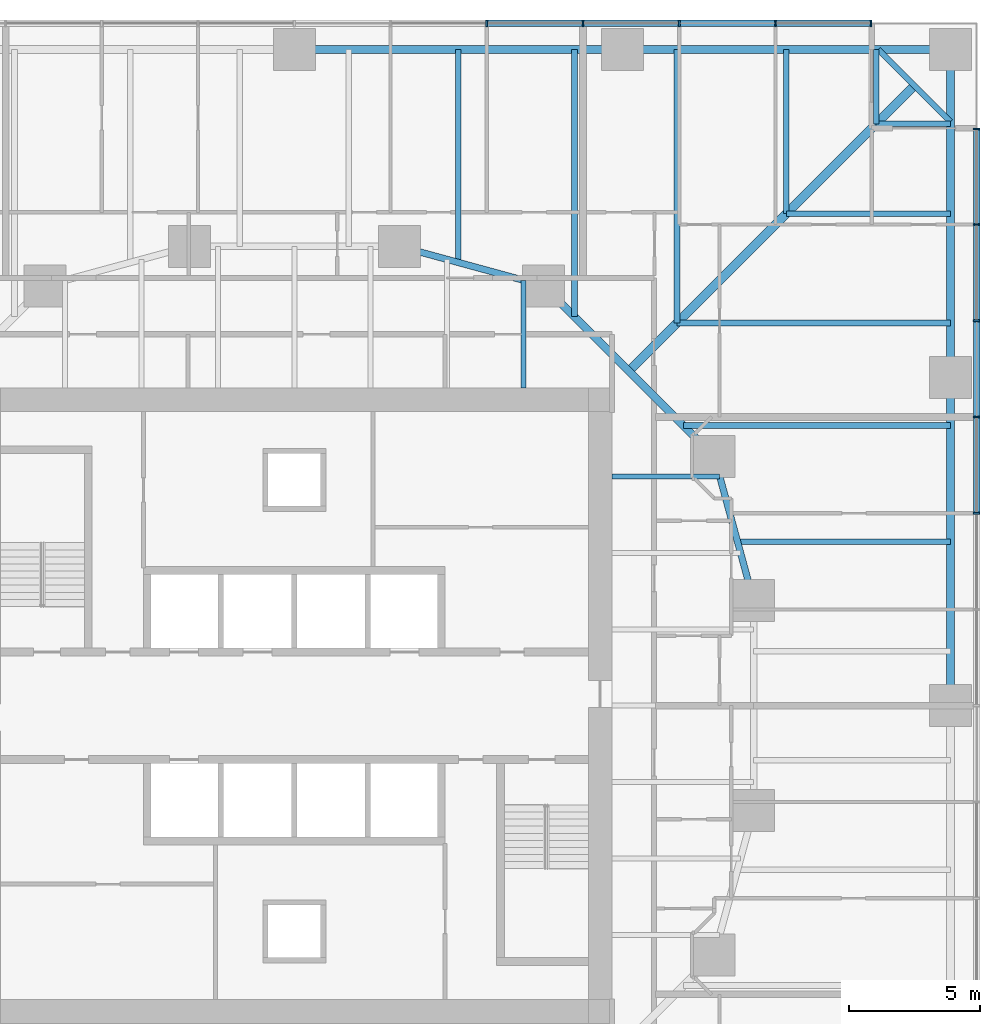
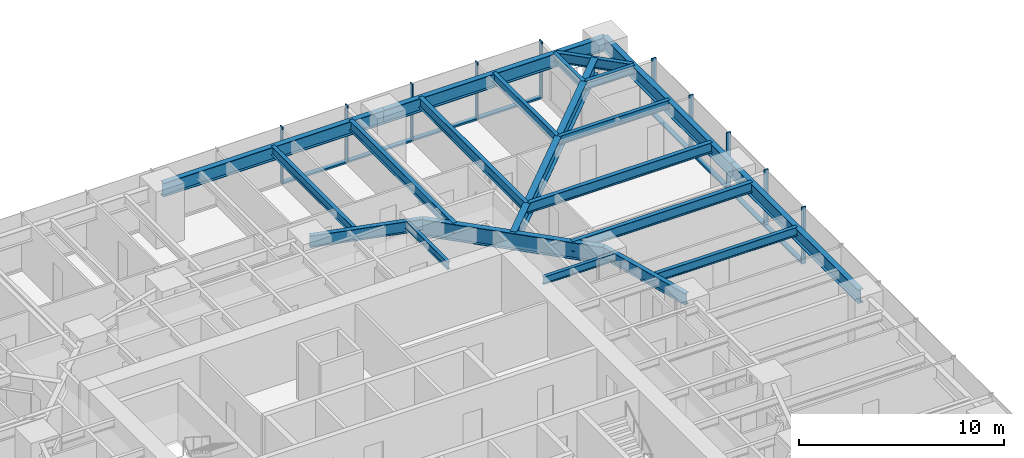
# One storey, part 6 of 18: 21 beams, 18 members, 2 elements without a shape of their own.
"""IFC4 building model written with IfcOpenShell, lengths in metres."""

from ifc_helpers import new_model, si_unit, direction, frame, origin, origin_2d, place, context, subcontext, project, spatial, rectangle, i_section, extrude, material, material_profile, profile_set, type_object, element, aggregate, save


model = new_model("IFC4")

# Units and contexts
model_context = context("Model", 3, precision=1e-05, world=origin(), true_north=direction((0.0, 1.0)))
body_context = subcontext(model_context, "Body", "Model", "MODEL_VIEW")
ifc_project = project(units=[si_unit("LENGTHUNIT", "METRE"), si_unit("AREAUNIT", "SQUARE_METRE"), si_unit("VOLUMEUNIT", "CUBIC_METRE"), si_unit("PLANEANGLEUNIT", "RADIAN"), si_unit("MASSUNIT", "GRAM", prefix="KILO")], contexts=[model_context])

# Site, building, storey
site_placement = place(None, origin())
site = spatial("IfcSite", under=ifc_project, at=site_placement, CompositionType="ELEMENT")
building_placement = place(site_placement, origin())
building = spatial("IfcBuilding", under=site, at=building_placement, Name="Torsade Residences", CompositionType="ELEMENT")
storey_placement = place(building_placement, frame((0.0, 0.0, 25.199951171875)))
storey = spatial("IfcBuildingStorey", under=building, at=storey_placement, Name="L06", CompositionType="ELEMENT", Elevation=25.199951171875)

# Beams
ifc_material_1 = material(Name="Steel grade 300", Category="steel")
ifc_material_profile_1 = material_profile(ifc_material_1, i_section(OverallWidth=0.35009765625, OverallDepth=0.909912109375, WebThickness=0.011962890625, FlangeThickness=0.02490234375, at=origin_2d()), Name="900WB218")
ifc_profile_set_1 = profile_set([ifc_material_profile_1], Name="Steel grade 300")
beam_type_1 = type_object("IfcBeamType", Name="CORNER GIRDER 900WB218", PredefinedType="BEAM", material=ifc_profile_set_1)
beam_1_placement = place(storey_placement, frame((63.625, 53.625, 2.795166015625), z_axis=(-0.707106781187, -0.707106781187, 0.0), x_axis=(0.707106781187, -0.707106781187, 0.0)))
element("IfcBeam", 1, at=beam_1_placement, inside=storey, type_object=beam_type_1, Name="Corner girder 09 L07", PredefinedType="BEAM", context=body_context, shape_type="SweptSolid", body=[
    extrude(i_section(OverallWidth=0.35009765625, OverallDepth=0.909912109375, WebThickness=0.011962890625, FlangeThickness=0.02490234375, at=origin_2d()), origin(), (0.0, 0.0, 1.0), 15.379638671875),
])
ifc_material_2 = material(Name="Steel grade 300", Category="steel")
ifc_material_profile_2 = material_profile(ifc_material_2, i_section(OverallWidth=0.22802734375, OverallDepth=0.60205078125, WebThickness=0.010498046875, FlangeThickness=0.014892578125, FilletRadius=0.013916015625, at=origin_2d()), Name="610UB101")
ifc_profile_set_2 = profile_set([ifc_material_profile_2], Name="Steel grade 300")
beam_type_2 = type_object("IfcBeamType", Name="CORNER TRIMMER 610UB101", PredefinedType="BEAM", material=ifc_profile_set_2)
beam_2_placement = place(storey_placement, frame((62.25, 55.0, 2.948974609375), z_axis=(0.707106781187, -0.707106781187, 0.0), x_axis=(0.707106781187, 0.707106781187, 0.0)))
element("IfcBeam", 2, at=beam_2_placement, inside=storey, type_object=beam_type_2, Name="Corner trimmer 09 L07", PredefinedType="BEAM", context=body_context, shape_type="SweptSolid", body=[
    extrude(i_section(OverallWidth=0.22802734375, OverallDepth=0.60205078125, WebThickness=0.010498046875, FlangeThickness=0.014892578125, FilletRadius=0.013916015625, at=origin_2d()), origin(), (0.0, 0.0, 1.0), 3.88916015625),
])

# Curtain wall, members
ifc_material_3 = material(Name="Aluminium and glass", Category="aluminium")
curtain_wall_type = type_object("IfcCurtainWallType", Name="FRITTED GLASS CURTAIN WALL LOW ZONE", PredefinedType="NOTDEFINED", material=ifc_material_3)
curtain_wall_1_placement = place(storey_placement, origin())
curtain_wall_1 = element("IfcCurtainWall", 3, at=curtain_wall_1_placement, inside=storey, type_object=curtain_wall_type, Name="Curtain wall L06 face 4", PredefinedType="NOTDEFINED")
ifc_material_4 = material(Name="Aluminium mullion", Category="aluminium")
ifc_material_profile_3 = material_profile(ifc_material_4, rectangle(XDim=0.25, YDim=0.06494140625, at=origin_2d()), Name="CURTAIN WALL MULLION 250x65")
ifc_profile_set_3 = profile_set([ifc_material_profile_3], Name="Aluminium mullion")
member_type_1 = type_object("IfcMemberType", Name="CURTAIN WALL MULLION 250x65", PredefinedType="MULLION", material=ifc_profile_set_3)
member_1_placement = place(storey_placement, frame((66.0, 37.333251953125, 0.0), z_axis=(0.0, 0.0, 1.0), x_axis=(-1.0, 0.0, 0.0)))
member_1 = element("IfcMember", 4, at=member_1_placement, type_object=member_type_1, Name="Mullion 9", PredefinedType="MULLION", context=body_context, shape_type="SweptSolid", body=[
    extrude(rectangle(XDim=0.25, YDim=0.06494140625, at=origin_2d()), origin(), (0.0, 0.0, 1.0), 3.400146484375),
])
member_2_placement = place(storey_placement, frame((66.0, 41.0, 0.0), z_axis=(0.0, 0.0, 1.0), x_axis=(-1.0, 0.0, 0.0)))
member_2 = element("IfcMember", 5, at=member_2_placement, type_object=member_type_1, Name="Mullion 10", PredefinedType="MULLION", context=body_context, shape_type="SweptSolid", body=[
    extrude(rectangle(XDim=0.25, YDim=0.06494140625, at=origin_2d()), origin(), (0.0, 0.0, 1.0), 3.400146484375),
])
member_3_placement = place(storey_placement, frame((66.0, 44.666748046875, 0.0), z_axis=(0.0, 0.0, 1.0), x_axis=(-1.0, 0.0, 0.0)))
member_3 = element("IfcMember", 6, at=member_3_placement, type_object=member_type_1, Name="Mullion 11", PredefinedType="MULLION", context=body_context, shape_type="SweptSolid", body=[
    extrude(rectangle(XDim=0.25, YDim=0.06494140625, at=origin_2d()), origin(), (0.0, 0.0, 1.0), 3.400146484375),
])
member_4_placement = place(storey_placement, frame((66.0, 48.333251953125, 0.0), z_axis=(0.0, 0.0, 1.0), x_axis=(-1.0, 0.0, 0.0)))
member_4 = element("IfcMember", 7, at=member_4_placement, type_object=member_type_1, Name="Mullion 12", PredefinedType="MULLION", context=body_context, shape_type="SweptSolid", body=[
    extrude(rectangle(XDim=0.25, YDim=0.06494140625, at=origin_2d()), origin(), (0.0, 0.0, 1.0), 3.400146484375),
])
member_5_placement = place(storey_placement, frame((66.0, 51.967529296875, 0.0), z_axis=(0.0, 0.0, 1.0), x_axis=(-1.0, 0.0, 0.0)))
member_5 = element("IfcMember", 8, at=member_5_placement, type_object=member_type_1, Name="Mullion 13", PredefinedType="MULLION", context=body_context, shape_type="SweptSolid", body=[
    extrude(rectangle(XDim=0.25, YDim=0.06494140625, at=origin_2d()), origin(), (0.0, 0.0, 1.0), 3.400146484375),
])

curtain_wall_2_placement = place(storey_placement, origin())
curtain_wall_2 = element("IfcCurtainWall", 9, at=curtain_wall_2_placement, inside=storey, type_object=curtain_wall_type, Name="Curtain wall L06 face 7", PredefinedType="NOTDEFINED")
member_6_placement = place(storey_placement, frame((61.967529296875, 56.0, 0.0), z_axis=(0.0, 0.0, 1.0), x_axis=(0.0, -1.0, 0.0)))
member_6 = element("IfcMember", 10, at=member_6_placement, type_object=member_type_1, Name="Mullion 1", PredefinedType="MULLION", context=body_context, shape_type="SweptSolid", body=[
    extrude(rectangle(XDim=0.25, YDim=0.06494140625, at=origin_2d()), origin(), (0.0, 0.0, 1.0), 3.400146484375),
])
member_7_placement = place(storey_placement, frame((58.333251953125, 56.0, 0.0), z_axis=(0.0, 0.0, 1.0), x_axis=(0.0, -1.0, 0.0)))
member_7 = element("IfcMember", 11, at=member_7_placement, type_object=member_type_1, Name="Mullion 2", PredefinedType="MULLION", context=body_context, shape_type="SweptSolid", body=[
    extrude(rectangle(XDim=0.25, YDim=0.06494140625, at=origin_2d()), origin(), (0.0, 0.0, 1.0), 3.400146484375),
])
member_8_placement = place(storey_placement, frame((54.666748046875, 56.0, 0.0), z_axis=(0.0, 0.0, 1.0), x_axis=(0.0, -1.0, 0.0)))
member_8 = element("IfcMember", 12, at=member_8_placement, type_object=member_type_1, Name="Mullion 3", PredefinedType="MULLION", context=body_context, shape_type="SweptSolid", body=[
    extrude(rectangle(XDim=0.25, YDim=0.06494140625, at=origin_2d()), origin(), (0.0, 0.0, 1.0), 3.400146484375),
])
member_9_placement = place(storey_placement, frame((51.0, 56.0, 0.0), z_axis=(0.0, 0.0, 1.0), x_axis=(0.0, -1.0, 0.0)))
member_9 = element("IfcMember", 13, at=member_9_placement, type_object=member_type_1, Name="Mullion 4", PredefinedType="MULLION", context=body_context, shape_type="SweptSolid", body=[
    extrude(rectangle(XDim=0.25, YDim=0.06494140625, at=origin_2d()), origin(), (0.0, 0.0, 1.0), 3.400146484375),
])
member_10_placement = place(storey_placement, frame((47.333251953125, 56.0, 0.0), z_axis=(0.0, 0.0, 1.0), x_axis=(0.0, -1.0, 0.0)))
member_10 = element("IfcMember", 14, at=member_10_placement, type_object=member_type_1, Name="Mullion 5", PredefinedType="MULLION", context=body_context, shape_type="SweptSolid", body=[
    extrude(rectangle(XDim=0.25, YDim=0.06494140625, at=origin_2d()), origin(), (0.0, 0.0, 1.0), 3.400146484375),
])

# Member
ifc_material_5 = material(Name="Aluminium transom", Category="aluminium")
ifc_material_profile_4 = material_profile(ifc_material_5, rectangle(XDim=0.25, YDim=0.10009765625, at=origin_2d()), Name="CURTAIN WALL TRANSOM 250x100")
ifc_profile_set_4 = profile_set([ifc_material_profile_4], Name="Aluminium transom")
member_type_2 = type_object("IfcMemberType", Name="CURTAIN WALL TRANSOM 250x100", PredefinedType="USERDEFINED", material=ifc_profile_set_4)
member_11_placement = place(storey_placement, frame((66.0, 37.36572265625, 0.050048828125), z_axis=(0.0, 1.0, 0.0), x_axis=(-1.0, 0.0, 0.0)))
member_11 = element("IfcMember", 15, at=member_11_placement, type_object=member_type_2, Name="Transom 9.1", ObjectType="TRANSOM", PredefinedType="USERDEFINED", context=body_context, shape_type="SweptSolid", body=[
    extrude(rectangle(XDim=0.25, YDim=0.10009765625, at=origin_2d()), origin(), (0.0, 0.0, 1.0), 3.601806640625),
])

member_12_placement = place(storey_placement, frame((66.0, 41.032470703125, 0.050048828125), z_axis=(0.0, 1.0, 0.0), x_axis=(-1.0, 0.0, 0.0)))
member_12 = element("IfcMember", 16, at=member_12_placement, type_object=member_type_2, Name="Transom 10.1", ObjectType="TRANSOM", PredefinedType="USERDEFINED", context=body_context, shape_type="SweptSolid", body=[
    extrude(rectangle(XDim=0.25, YDim=0.10009765625, at=origin_2d()), origin(), (0.0, 0.0, 1.0), 3.601806640625),
])

member_13_placement = place(storey_placement, frame((66.0, 44.69921875, 0.050048828125), z_axis=(0.0, 1.0, 0.0), x_axis=(-1.0, 0.0, 0.0)))
member_13 = element("IfcMember", 17, at=member_13_placement, type_object=member_type_2, Name="Transom 11.1", ObjectType="TRANSOM", PredefinedType="USERDEFINED", context=body_context, shape_type="SweptSolid", body=[
    extrude(rectangle(XDim=0.25, YDim=0.10009765625, at=origin_2d()), origin(), (0.0, 0.0, 1.0), 3.6015625),
])

member_14_placement = place(storey_placement, frame((66.0, 48.36572265625, 0.050048828125), z_axis=(0.0, 1.0, 0.0), x_axis=(-1.0, 0.0, 0.0)))
member_14 = element("IfcMember", 18, at=member_14_placement, type_object=member_type_2, Name="Transom 12.1", ObjectType="TRANSOM", PredefinedType="USERDEFINED", context=body_context, shape_type="SweptSolid", body=[
    extrude(rectangle(XDim=0.25, YDim=0.10009765625, at=origin_2d()), origin(), (0.0, 0.0, 1.0), 3.5693359375),
])

aggregate(curtain_wall_1, [member_1, member_2, member_3, member_4, member_5, member_11, member_12, member_13, member_14])

member_15_placement = place(storey_placement, frame((61.93505859375, 56.0, 0.050048828125), z_axis=(-1.0, 0.0, 0.0), x_axis=(0.0, -1.0, 0.0)))
member_15 = element("IfcMember", 19, at=member_15_placement, type_object=member_type_2, Name="Transom 1.1", ObjectType="TRANSOM", PredefinedType="USERDEFINED", context=body_context, shape_type="SweptSolid", body=[
    extrude(rectangle(XDim=0.25, YDim=0.10009765625, at=origin_2d()), origin(), (0.0, 0.0, 1.0), 3.5693359375),
])

member_16_placement = place(storey_placement, frame((58.30078125, 56.0, 0.050048828125), z_axis=(-1.0, 0.0, 0.0), x_axis=(0.0, -1.0, 0.0)))
member_16 = element("IfcMember", 20, at=member_16_placement, type_object=member_type_2, Name="Transom 2.1", ObjectType="TRANSOM", PredefinedType="USERDEFINED", context=body_context, shape_type="SweptSolid", body=[
    extrude(rectangle(XDim=0.25, YDim=0.10009765625, at=origin_2d()), origin(), (0.0, 0.0, 1.0), 3.6015625),
])

member_17_placement = place(storey_placement, frame((54.63427734375, 56.0, 0.050048828125), z_axis=(-1.0, 0.0, 0.0), x_axis=(0.0, -1.0, 0.0)))
member_17 = element("IfcMember", 21, at=member_17_placement, type_object=member_type_2, Name="Transom 3.1", ObjectType="TRANSOM", PredefinedType="USERDEFINED", context=body_context, shape_type="SweptSolid", body=[
    extrude(rectangle(XDim=0.25, YDim=0.10009765625, at=origin_2d()), origin(), (0.0, 0.0, 1.0), 3.601806640625),
])

member_18_placement = place(storey_placement, frame((50.967529296875, 56.0, 0.050048828125), z_axis=(-1.0, 0.0, 0.0), x_axis=(0.0, -1.0, 0.0)))
member_18 = element("IfcMember", 22, at=member_18_placement, type_object=member_type_2, Name="Transom 4.1", ObjectType="TRANSOM", PredefinedType="USERDEFINED", context=body_context, shape_type="SweptSolid", body=[
    extrude(rectangle(XDim=0.25, YDim=0.10009765625, at=origin_2d()), origin(), (0.0, 0.0, 1.0), 3.601806640625),
])

aggregate(curtain_wall_2, [member_6, member_7, member_8, member_9, member_10, member_15, member_16, member_17, member_18])

# Beams
ifc_material_6 = material(Name="Steel grade 300", Category="steel")
ifc_material_profile_5 = material_profile(ifc_material_6, i_section(OverallWidth=0.300048828125, OverallDepth=0.81591796875, WebThickness=0.010009765625, FlangeThickness=0.028076171875, at=origin_2d()), Name="800WB192")
ifc_profile_set_5 = profile_set([ifc_material_profile_5], Name="Steel grade 300")
beam_type_3 = type_object("IfcBeamType", Name="EDGE BEAM 800WB192", PredefinedType="SPANDREL", material=ifc_profile_set_5)
for number, where, z_axis, x_axis, name in (
    (23, (65.0, 30.0, 2.842041015625), (0.0, 1.0, 0.0), (-1.0, 0.0, 0.0), "Edge beam 07 L07"),
    (24, (65.0, 42.5, 2.842041015625), (0.0, 1.0, 0.0), (-1.0, 0.0, 0.0), "Edge beam 08 L07"),
    (25, (65.0, 55.0, 2.842041015625), (-1.0, 0.0, 0.0), (0.0, -1.0, 0.0), "Edge beam 09 L07"),
    (26, (52.5, 55.0, 2.842041015625), (-1.0, 0.0, 0.0), (0.0, -1.0, 0.0), "Edge beam 10 L07"),
):
    element("IfcBeam", number, at=place(storey_placement, frame(where, z_axis=z_axis, x_axis=x_axis)), inside=storey, type_object=beam_type_3, Name=name, PredefinedType="SPANDREL", context=body_context, shape_type="SweptSolid", body=[
        extrude(i_section(OverallWidth=0.300048828125, OverallDepth=0.81591796875, WebThickness=0.010009765625, FlangeThickness=0.028076171875, at=origin_2d()), origin(), (0.0, 0.0, 1.0), 12.5),
    ])
ifc_material_7 = material(Name="Steel grade 300", Category="steel")
ifc_material_profile_6 = material_profile(ifc_material_7, i_section(OverallWidth=0.18994140625, OverallDepth=0.4541015625, WebThickness=0.008544921875, FlangeThickness=0.0126953125, FilletRadius=0.011474609375, at=origin_2d()), Name="460UB67.1")
ifc_profile_set_6 = profile_set([ifc_material_profile_6], Name="Steel grade 300")
beam_type_4 = type_object("IfcBeamType", Name="INNER FLOOR BEAM 460UB67.1", PredefinedType="JOIST", material=ifc_profile_set_6)
for number, where, z_axis, x_axis, name in (
    (27, (48.737548828125, 42.10009765625, 3.02294921875), (0.0, 1.0, 0.0), (-1.0, 0.0, 0.0), "Inner floor beam IN07 L07"),
    (28, (52.10009765625, 38.737548828125, 3.02294921875), (1.0, 0.0, 0.0), (0.0, 1.0, 0.0), "Inner floor beam IE07 L07"),
):
    element("IfcBeam", number, at=place(storey_placement, frame(where, z_axis=z_axis, x_axis=x_axis)), inside=storey, type_object=beam_type_4, Name=name, PredefinedType="JOIST", context=body_context, shape_type="SweptSolid", body=[
        extrude(i_section(OverallWidth=0.18994140625, OverallDepth=0.4541015625, WebThickness=0.008544921875, FlangeThickness=0.0126953125, FilletRadius=0.011474609375, at=origin_2d()), origin(), (0.0, 0.0, 1.0), 4.10791015625),
    ])
ifc_material_8 = material(Name="Steel grade 300", Category="steel")
ifc_material_profile_7 = material_profile(ifc_material_8, i_section(OverallWidth=0.300048828125, OverallDepth=1.0, WebThickness=0.01611328125, FlangeThickness=0.028076171875, at=origin_2d()), Name="1000WB215")
ifc_profile_set_7 = profile_set([ifc_material_profile_7], Name="Steel grade 300")
beam_type_5 = type_object("IfcBeamType", Name="RING CORNER GIRDER 1000WB215", PredefinedType="BEAM", material=ifc_profile_set_7)
beam_3_placement = place(storey_placement, frame((56.0, 39.5, 2.75), z_axis=(-0.707106781187, 0.707106781187, 0.0), x_axis=(-0.707106781187, -0.707106781187, 0.0)))
element("IfcBeam", 29, at=beam_3_placement, inside=storey, type_object=beam_type_5, Name="Ring girder IR03 L07", PredefinedType="BEAM", context=body_context, shape_type="SweptSolid", body=[
    extrude(i_section(OverallWidth=0.300048828125, OverallDepth=1.0, WebThickness=0.01611328125, FlangeThickness=0.028076171875, at=origin_2d()), origin(), (0.0, 0.0, 1.0), 9.1923828125),
])
ifc_material_9 = material(Name="Steel grade 300", Category="steel")
ifc_material_profile_8 = material_profile(ifc_material_9, i_section(OverallWidth=0.25, OverallDepth=0.699951171875, WebThickness=0.010009765625, FlangeThickness=0.02001953125, at=origin_2d()), Name="700WB130")
ifc_profile_set_8 = profile_set([ifc_material_profile_8], Name="Steel grade 300")
beam_type_6 = type_object("IfcBeamType", Name="RING GIRDER 700WB130", PredefinedType="BEAM", material=ifc_profile_set_8)
for number, where, z_axis, x_axis, name in (
    (30, (57.5, 34.0, 2.900146484375), (-0.263117405792, 0.964763821238, 0.0), (-0.964763821238, -0.263117405792, 0.0), "Ring girder IR02 L07"),
    (31, (49.5, 46.0, 2.900146484375), (-0.964763821238, 0.263117405792, 0.0), (-0.263117405792, -0.964763821238, 0.0), "Ring girder IR04 L07"),
):
    element("IfcBeam", number, at=place(storey_placement, frame(where, z_axis=z_axis, x_axis=x_axis)), inside=storey, type_object=beam_type_6, Name=name, PredefinedType="BEAM", context=body_context, shape_type="SweptSolid", body=[
        extrude(i_section(OverallWidth=0.25, OverallDepth=0.699951171875, WebThickness=0.010009765625, FlangeThickness=0.02001953125, at=origin_2d()), origin(), (0.0, 0.0, 1.0), 5.700927734375),
    ])
ifc_material_10 = material(Name="Steel grade 300", Category="steel")
ifc_material_profile_9 = material_profile(ifc_material_10, i_section(OverallWidth=0.208984375, OverallDepth=0.528076171875, WebThickness=0.009521484375, FlangeThickness=0.01318359375, FilletRadius=0.013916015625, at=origin_2d()), Name="530UB82.0")
ifc_profile_set_9 = profile_set([ifc_material_profile_9], Name="Steel grade 300")
beam_type_7 = type_object("IfcBeamType", Name="SECONDARY BEAM 530UB82.0", PredefinedType="JOIST", material=ifc_profile_set_9)
beam_4_placement = place(storey_placement, frame((65.0, 36.25, 2.986083984375), z_axis=(-1.0, 0.0, 0.0), x_axis=(0.0, -1.0, 0.0)))
element("IfcBeam", 32, at=beam_4_placement, inside=storey, type_object=beam_type_7, Name="Floor beam FE08 L07", PredefinedType="JOIST", context=body_context, shape_type="SweptSolid", body=[
    extrude(i_section(OverallWidth=0.208984375, OverallDepth=0.528076171875, WebThickness=0.009521484375, FlangeThickness=0.01318359375, FilletRadius=0.013916015625, at=origin_2d()), origin(), (0.0, 0.0, 1.0), 8.113525390625),
])
beam_5_placement = place(storey_placement, frame((65.0, 48.75, 2.986083984375), z_axis=(-1.0, 0.0, 0.0), x_axis=(0.0, -1.0, 0.0)))
element("IfcBeam", 33, at=beam_5_placement, inside=storey, type_object=beam_type_7, Name="Floor beam FE11 L07", PredefinedType="JOIST", context=body_context, shape_type="SweptSolid", body=[
    extrude(i_section(OverallWidth=0.208984375, OverallDepth=0.528076171875, WebThickness=0.009521484375, FlangeThickness=0.01318359375, FilletRadius=0.013916015625, at=origin_2d()), origin(), (0.0, 0.0, 1.0), 6.25),
])
for number, where, z_axis, x_axis, name in (
    (34, (65.0, 52.166748046875, 2.986083984375), (-1.0, 0.0, 0.0), (0.0, -1.0, 0.0), "Floor beam FE12 L07"),
    (35, (62.166748046875, 55.0, 2.986083984375), (0.0, -1.0, 0.0), (1.0, 0.0, 0.0), "Floor beam FN01 L07"),
):
    element("IfcBeam", number, at=place(storey_placement, frame(where, z_axis=z_axis, x_axis=x_axis)), inside=storey, type_object=beam_type_7, Name=name, PredefinedType="JOIST", context=body_context, shape_type="SweptSolid", body=[
        extrude(i_section(OverallWidth=0.208984375, OverallDepth=0.528076171875, WebThickness=0.009521484375, FlangeThickness=0.01318359375, FilletRadius=0.013916015625, at=origin_2d()), origin(), (0.0, 0.0, 1.0), 2.833251953125),
    ])
beam_6_placement = place(storey_placement, frame((58.75, 55.0, 2.986083984375), z_axis=(0.0, -1.0, 0.0), x_axis=(1.0, 0.0, 0.0)))
element("IfcBeam", 36, at=beam_6_placement, inside=storey, type_object=beam_type_7, Name="Floor beam FN02 L07", PredefinedType="JOIST", context=body_context, shape_type="SweptSolid", body=[
    extrude(i_section(OverallWidth=0.208984375, OverallDepth=0.528076171875, WebThickness=0.009521484375, FlangeThickness=0.01318359375, FilletRadius=0.013916015625, at=origin_2d()), origin(), (0.0, 0.0, 1.0), 6.25),
])
beam_7_placement = place(storey_placement, frame((46.25, 55.0, 2.986083984375), z_axis=(0.0, -1.0, 0.0), x_axis=(1.0, 0.0, 0.0)))
element("IfcBeam", 37, at=beam_7_placement, inside=storey, type_object=beam_type_7, Name="Floor beam FN05 L07", PredefinedType="JOIST", context=body_context, shape_type="SweptSolid", body=[
    extrude(i_section(OverallWidth=0.208984375, OverallDepth=0.528076171875, WebThickness=0.009521484375, FlangeThickness=0.01318359375, FilletRadius=0.013916015625, at=origin_2d()), origin(), (0.0, 0.0, 1.0), 8.113525390625),
])
ifc_material_11 = material(Name="Steel grade 300", Category="steel")
ifc_material_profile_10 = material_profile(ifc_material_11, i_section(OverallWidth=0.22900390625, OverallDepth=0.612060546875, WebThickness=0.011962890625, FlangeThickness=0.01953125, FilletRadius=0.013916015625, at=origin_2d()), Name="610UB125")
ifc_profile_set_10 = profile_set([ifc_material_profile_10], Name="Steel grade 300")
beam_type_8 = type_object("IfcBeamType", Name="SECONDARY BEAM 610UB125", PredefinedType="JOIST", material=ifc_profile_set_10)
beam_8_placement = place(storey_placement, frame((65.0, 40.666748046875, 2.944091796875), z_axis=(-1.0, 0.0, 0.0), x_axis=(0.0, -1.0, 0.0)))
element("IfcBeam", 38, at=beam_8_placement, inside=storey, type_object=beam_type_8, Name="Floor beam FE09 L07", PredefinedType="JOIST", context=body_context, shape_type="SweptSolid", body=[
    extrude(i_section(OverallWidth=0.22900390625, OverallDepth=0.612060546875, WebThickness=0.011962890625, FlangeThickness=0.01953125, FilletRadius=0.013916015625, at=origin_2d()), origin(), (0.0, 0.0, 1.0), 10.166748046875),
])
for number, where, z_axis, x_axis, name in (
    (39, (65.0, 44.583251953125, 2.944091796875), (-1.0, 0.0, 0.0), (0.0, -1.0, 0.0), "Floor beam FE10 L07"),
    (40, (54.583251953125, 55.0, 2.944091796875), (0.0, -1.0, 0.0), (1.0, 0.0, 0.0), "Floor beam FN03 L07"),
):
    element("IfcBeam", number, at=place(storey_placement, frame(where, z_axis=z_axis, x_axis=x_axis)), inside=storey, type_object=beam_type_8, Name=name, PredefinedType="JOIST", context=body_context, shape_type="SweptSolid", body=[
        extrude(i_section(OverallWidth=0.22900390625, OverallDepth=0.612060546875, WebThickness=0.011962890625, FlangeThickness=0.01953125, FilletRadius=0.013916015625, at=origin_2d()), origin(), (0.0, 0.0, 1.0), 10.416748046875),
    ])
beam_9_placement = place(storey_placement, frame((50.666748046875, 55.0, 2.944091796875), z_axis=(0.0, -1.0, 0.0), x_axis=(1.0, 0.0, 0.0)))
element("IfcBeam", 41, at=beam_9_placement, inside=storey, type_object=beam_type_8, Name="Floor beam FN04 L07", PredefinedType="JOIST", context=body_context, shape_type="SweptSolid", body=[
    extrude(i_section(OverallWidth=0.22900390625, OverallDepth=0.612060546875, WebThickness=0.011962890625, FlangeThickness=0.01953125, FilletRadius=0.013916015625, at=origin_2d()), origin(), (0.0, 0.0, 1.0), 10.166748046875),
])

save(model, "model.ifc")
